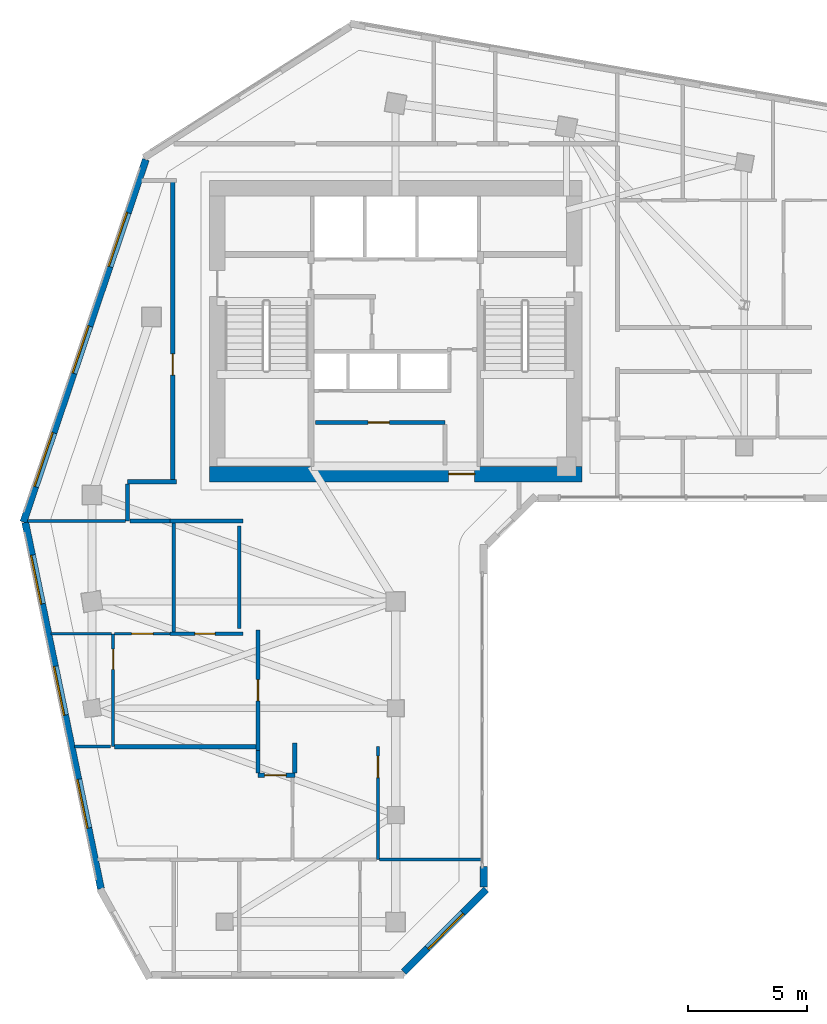
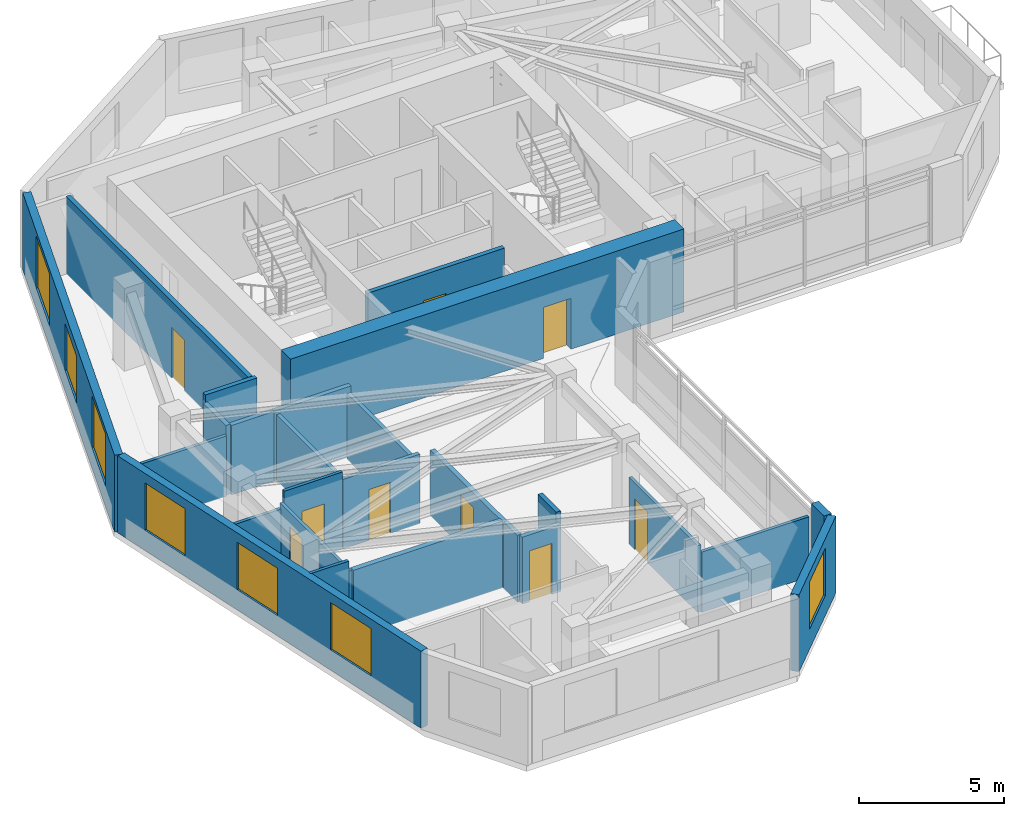
# One storey, part 4 of 10: 26 walls, 9 doors, 7 windows, 16 openings.
"""IFC4 building model written with IfcOpenShell, lengths in metres."""

from ifc_helpers import new_model, si_unit, direction, frame, frame_2d, origin, place, context, subcontext, project, spatial, rectangle, extrude, source, transform, mapped, material, layer, layer_set, type_object, element, fill, save


model = new_model("IFC4")

# Units and contexts
model_context = context("Model", 3, precision=1e-05, world=origin(), true_north=direction((0.0, 1.0)))
body_context = subcontext(model_context, "Body", "Model", "MODEL_VIEW")
ifc_project = project(units=[si_unit("LENGTHUNIT", "METRE"), si_unit("AREAUNIT", "SQUARE_METRE"), si_unit("VOLUMEUNIT", "CUBIC_METRE"), si_unit("PLANEANGLEUNIT", "RADIAN"), si_unit("MASSUNIT", "GRAM", prefix="KILO")], contexts=[model_context])

# Site, building, storey
site_placement = place(None, origin())
site = spatial("IfcSite", under=ifc_project, at=site_placement, CompositionType="ELEMENT")
building_placement = place(site_placement, origin())
building = spatial("IfcBuilding", under=site, at=building_placement, Name="Calvemar Wedge Station Tower", CompositionType="ELEMENT")
storey_placement = place(building_placement, frame((0.0, 0.0, 221.89990234375)))
storey = spatial("IfcBuildingStorey", under=building, at=storey_placement, Name="L56", CompositionType="ELEMENT", Elevation=221.89990234375)

# Wall, opening, door
ifc_material_1 = material(Name="Concrete C60", Category="concrete")
ifc_layer_1 = layer(ifc_material_1, 0.64990234375)
ifc_layer_set_1 = layer_set([ifc_layer_1], Name="Concrete C60")
wall_type_1 = type_object("IfcWallType", Name="SW-CORE-650", PredefinedType="SHEAR", material=ifc_layer_set_1)
wall_1_placement = place(storey_placement, frame((15.949951171875, 33.875, 0.0), z_axis=(0.0, 0.0, 1.0), x_axis=(1.0, 0.0, 0.0)))
wall_1 = element("IfcWall", 1, at=wall_1_placement, inside=storey, type_object=wall_type_1, Name="Storey L56 Core Shear Wall S", PredefinedType="SHEAR", context=body_context, shape_type="SweptSolid", body=[
    extrude(rectangle(XDim=15.699951171875, YDim=0.64990234375, at=frame_2d((7.85009765625, 0.0))), origin(), (0.0, 0.0, 1.0), 3.5),
])
shared_shape_1 = source(origin(), body_context, "Body", "SweptSolid", [
    extrude(rectangle(XDim=1.10009765625, YDim=2.14990234375, at=frame_2d((0.550048828125, 1.074951171875))), frame((0.0, 0.3349609375, 0.0), z_axis=(0.0, -1.0, 0.0), x_axis=(1.0, 0.0, 0.0)), (0.0, 0.0, 1.0), 0.669921875),
])
opening_1_placement = place(wall_1_placement, frame((10.080078125, 0.0, 0.0)))
opening_1 = element("IfcOpeningElement", 2, at=opening_1_placement, cuts=wall_1, Name="Opening FD-90", PredefinedType="OPENING", context=body_context, shape_type="MappedRepresentation", body=[
    mapped(shared_shape_1, transform((0.0, 0.0, 0.0), scale=1.0)),
])
ifc_material_2 = material(Name="Galvanized fire-rated steel door leaf P-90", Category="steel")
door_type_1 = type_object("IfcDoorType", Name="DR-FD90-1100", OperationType="NOTDEFINED", PredefinedType="DOOR", material=ifc_material_2)
shared_shape_2 = source(origin(), body_context, "Body", "SweptSolid", [
    extrude(rectangle(XDim=1.10009765625, YDim=2.14990234375, at=frame_2d((0.550048828125, 1.074951171875))), frame((0.0, 0.02490234375, 0.0), z_axis=(0.0, -1.0, 0.0), x_axis=(1.0, 0.0, 0.0)), (0.0, 0.0, 1.0), 0.050048828125),
])
door_1_placement = place(opening_1_placement, origin())
door_1 = element("IfcDoor", 3, at=door_1_placement, inside=storey, type_object=door_type_1, Name="L56 Passenger Lift Lobby Door", OperationType="SINGLE_SWING_LEFT", OverallHeight=2.14990234375, OverallWidth=1.10009765625, PredefinedType="DOOR", context=body_context, shape_type="MappedRepresentation", body=[
    mapped(shared_shape_2, transform((0.0, 0.0, 0.0), scale=1.0)),
])
fill(opening_1, door_1)

ifc_material_3 = material(Name="Double-stud fire-rated corridor partition")
ifc_layer_2 = layer(ifc_material_3, 0.179931640625)
ifc_layer_set_2 = layer_set([ifc_layer_2], Name="Double-stud fire-rated corridor partition")
wall_type_2 = type_object("IfcWallType", Name="W-CORR-180", PredefinedType="PARTITIONING", material=ifc_layer_set_2)
wall_2_placement = place(storey_placement, frame((20.419921875, 36.050048828125, 0.0), z_axis=(0.0, 0.0, 1.0), x_axis=(1.0, 0.0, 0.0)))
wall_2 = element("IfcWall", 4, at=wall_2_placement, inside=storey, type_object=wall_type_2, Name="Storey L56 Interior Partition WL-L56-004", PredefinedType="PARTITIONING", context=body_context, shape_type="SweptSolid", body=[
    extrude(rectangle(XDim=5.4599609375, YDim=0.179931640625, at=frame_2d((2.72998046875, 0.0))), origin(), (0.0, 0.0, 1.0), 3.25),
])
shared_shape_3 = source(origin(), body_context, "Body", "SweptSolid", [
    extrude(rectangle(XDim=0.89990234375, YDim=2.14990234375, at=frame_2d((0.449951171875, 1.074951171875))), frame((0.0, 0.10009765625, 0.0), z_axis=(0.0, -1.0, 0.0), x_axis=(1.0, 0.0, 0.0)), (0.0, 0.0, 1.0), 0.199951171875),
])
opening_2_placement = place(wall_2_placement, frame((2.219482421875, 0.0, 0.0)))
opening_2 = element("IfcOpeningElement", 5, at=opening_2_placement, cuts=wall_2, Name="Opening FD-60", PredefinedType="OPENING", context=body_context, shape_type="MappedRepresentation", body=[
    mapped(shared_shape_3, transform((0.0, 0.0, 0.0), scale=1.0)),
])
ifc_material_4 = material(Name="Fire-rated acoustic timber-core entrance door EI 60", Category="wood")
door_type_2 = type_object("IfcDoorType", Name="DR-FD60-900", OperationType="NOTDEFINED", PredefinedType="DOOR", material=ifc_material_4)
shared_shape_4 = source(origin(), body_context, "Body", "SweptSolid", [
    extrude(rectangle(XDim=0.89990234375, YDim=2.14990234375, at=frame_2d((0.449951171875, 1.074951171875))), frame((0.0, 0.02490234375, 0.0), z_axis=(0.0, -1.0, 0.0), x_axis=(1.0, 0.0, 0.0)), (0.0, 0.0, 1.0), 0.050048828125),
])
door_2_placement = place(opening_2_placement, origin())
door_2 = element("IfcDoor", 6, at=door_2_placement, inside=storey, type_object=door_type_2, Name="L56 Parcel and Resident Store Door", OperationType="SINGLE_SWING_RIGHT", OverallHeight=2.14990234375, OverallWidth=0.89990234375, PredefinedType="DOOR", context=body_context, shape_type="MappedRepresentation", body=[
    mapped(shared_shape_4, transform((0.0, 0.0, 0.0), scale=1.0)),
])
fill(opening_2, door_2)

# Walls
wall_3_placement = place(storey_placement, frame((12.5, 33.550048828125, 0.0), z_axis=(0.0, 0.0, 1.0), x_axis=(1.0, 0.0, 0.0)))
element("IfcWall", 7, at=wall_3_placement, inside=storey, type_object=wall_type_2, Name="Storey L56 Interior Partition WL-L56-006", PredefinedType="PARTITIONING", context=body_context, shape_type="SweptSolid", body=[
    extrude(rectangle(XDim=2.06005859375, YDim=0.179931640625, at=frame_2d((1.030029296875, 0.0))), origin(), (0.0, 0.0, 1.0), 3.25),
])
wall_4_placement = place(storey_placement, frame((12.5, 31.89990234375, 0.0), z_axis=(0.0, 0.0, 1.0), x_axis=(0.0, 1.0, 0.0)))
element("IfcWall", 8, at=wall_4_placement, inside=storey, type_object=wall_type_2, Name="Storey L56 Interior Partition WL-L56-007", PredefinedType="PARTITIONING", context=body_context, shape_type="SweptSolid", body=[
    extrude(rectangle(XDim=1.55615234375, YDim=0.179931640625, at=frame_2d((0.778076171875, 0.0))), origin(), (0.0, 0.0, 1.0), 2.93408203125),
])
wall_5_placement = place(storey_placement, frame((17.360107421875, 31.89990234375, 0.0), z_axis=(0.0, 0.0, 1.0), x_axis=(-1.0, 0.0, 0.0)))
element("IfcWall", 9, at=wall_5_placement, inside=storey, type_object=wall_type_2, Name="Storey L56 Interior Partition WL-L56-009", PredefinedType="PARTITIONING", context=body_context, shape_type="SweptSolid", body=[
    extrude(rectangle(XDim=3.070068359375, YDim=0.179931640625, at=frame_2d((1.53515625, 0.0))), origin(), (0.0, 0.0, 1.0), 2.93408203125),
])
wall_6_placement = place(storey_placement, frame((14.2880859375, 31.89990234375, 0.0), z_axis=(0.0, 0.0, 1.0), x_axis=(-1.0, 0.0, 0.0)))
element("IfcWall", 10, at=wall_6_placement, inside=storey, type_object=wall_type_2, Name="Storey L56 Interior Partition WL-L56-010", PredefinedType="PARTITIONING", context=body_context, shape_type="SweptSolid", body=[
    extrude(rectangle(XDim=1.694091796875, YDim=0.179931640625, at=frame_2d((0.84716796875, 0.0))), origin(), (0.0, 0.0, 1.0), 2.93408203125),
])

# Wall, opening, door
wall_7_placement = place(storey_placement, frame((14.39990234375, 33.64404296875, 0.0), z_axis=(0.0, 0.0, 1.0), x_axis=(0.0, 1.0, 0.0)))
wall_7 = element("IfcWall", 11, at=wall_7_placement, inside=storey, type_object=wall_type_2, Name="Storey L56 Interior Partition WL-L56-011", PredefinedType="PARTITIONING", context=body_context, shape_type="SweptSolid", body=[
    extrude(rectangle(XDim=12.60595703125, YDim=0.179931640625, at=frame_2d((6.302978515625, 0.0))), origin(), (0.0, 0.0, 1.0), 3.25),
])
opening_3_placement = place(wall_7_placement, frame((4.399169921875, 0.0, 0.0)))
opening_3 = element("IfcOpeningElement", 12, at=opening_3_placement, cuts=wall_7, Name="Opening D-01", PredefinedType="OPENING", context=body_context, shape_type="MappedRepresentation", body=[
    mapped(shared_shape_3, transform((0.0, 0.0, 0.0), scale=1.0)),
])
ifc_material_5 = material(Name="Architectural hardwood acoustic swing door", Category="wood")
door_type_3 = type_object("IfcDoorType", Name="DR-INT-900", OperationType="NOTDEFINED", PredefinedType="DOOR", material=ifc_material_5)
shared_shape_5 = source(origin(), body_context, "Body", "SweptSolid", [
    extrude(rectangle(XDim=0.89990234375, YDim=2.14990234375, at=frame_2d((0.449951171875, 1.074951171875))), frame((0.0, 0.02490234375, 0.0), z_axis=(0.0, -1.0, 0.0), x_axis=(1.0, 0.0, 0.0)), (0.0, 0.0, 1.0), 0.050048828125),
])
door_3_placement = place(opening_3_placement, origin())
door_3 = element("IfcDoor", 13, at=door_3_placement, inside=storey, type_object=door_type_3, Name="L56 Resident Reading Lounge Door", OperationType="SINGLE_SWING_LEFT", OverallHeight=2.14990234375, OverallWidth=0.89990234375, PredefinedType="DOOR", context=body_context, shape_type="MappedRepresentation", body=[
    mapped(shared_shape_5, transform((0.0, 0.0, 0.0), scale=1.0)),
])
fill(opening_3, door_3)

wall_8_placement = place(storey_placement, frame((18.0, 22.222900390625, 0.0), z_axis=(0.0, 0.0, 1.0), x_axis=(0.0, 1.0, 0.0)))
wall_8 = element("IfcWall", 14, at=wall_8_placement, inside=storey, type_object=wall_type_2, Name="Storey L56 Interior Partition WL-L56-042", PredefinedType="PARTITIONING", context=body_context, shape_type="SweptSolid", body=[
    extrude(rectangle(XDim=5.0791015625, YDim=0.179931640625, at=frame_2d((2.53955078125, 0.0))), origin(), (0.0, 0.0, 1.0), 2.76611328125),
])
opening_4_placement = place(wall_8_placement, frame((2.089599609375, 0.0, 0.0)))
opening_4 = element("IfcOpeningElement", 15, at=opening_4_placement, cuts=wall_8, Name="Opening FD-60", PredefinedType="OPENING", context=body_context, shape_type="MappedRepresentation", body=[
    mapped(shared_shape_3, transform((0.0, 0.0, 0.0), scale=1.0)),
])
door_4_placement = place(opening_4_placement, origin())
door_4 = element("IfcDoor", 16, at=door_4_placement, inside=storey, type_object=door_type_2, Name="L56 Living Dining Door", OperationType="SINGLE_SWING_LEFT", OverallHeight=2.14990234375, OverallWidth=0.89990234375, PredefinedType="DOOR", context=body_context, shape_type="MappedRepresentation", body=[
    mapped(shared_shape_4, transform((0.0, 0.0, 0.0), scale=1.0)),
])
fill(opening_4, door_4)

wall_9_placement = place(storey_placement, frame((19.550048828125, 21.18310546875, 0.0), z_axis=(0.0, 0.0, 1.0), x_axis=(-1.0, 0.0, 0.0)))
wall_9 = element("IfcWall", 17, at=wall_9_placement, inside=storey, type_object=wall_type_2, Name="Storey L56 Interior Partition WL-L56-043", PredefinedType="PARTITIONING", context=body_context, shape_type="SweptSolid", body=[
    extrude(rectangle(XDim=1.550048828125, YDim=0.179931640625, at=frame_2d((0.77490234375, 0.0))), origin(), (0.0, 0.0, 1.0), 2.822021484375),
])
opening_5_placement = place(wall_9_placement, frame((0.3701171875, 0.0, 0.0)))
opening_5 = element("IfcOpeningElement", 18, at=opening_5_placement, cuts=wall_9, Name="Opening FD-60", PredefinedType="OPENING", context=body_context, shape_type="MappedRepresentation", body=[
    mapped(shared_shape_3, transform((0.0, 0.0, 0.0), scale=1.0)),
])
door_5_placement = place(opening_5_placement, origin())
door_5 = element("IfcDoor", 19, at=door_5_placement, inside=storey, type_object=door_type_2, Name="L56 Living Dining Door", OperationType="SINGLE_SWING_RIGHT", OverallHeight=2.14990234375, OverallWidth=0.89990234375, PredefinedType="DOOR", context=body_context, shape_type="MappedRepresentation", body=[
    mapped(shared_shape_4, transform((0.0, 0.0, 0.0), scale=1.0)),
])
fill(opening_5, door_5)

# Walls
wall_10_placement = place(storey_placement, frame((18.0, 21.277099609375, 0.0), z_axis=(0.0, 0.0, 1.0), x_axis=(0.0, 1.0, 0.0)))
element("IfcWall", 20, at=wall_10_placement, inside=storey, type_object=wall_type_2, Name="Storey L56 Interior Partition WL-L56-044", PredefinedType="PARTITIONING", context=body_context, shape_type="SweptSolid", body=[
    extrude(rectangle(XDim=0.94384765625, YDim=0.179931640625, at=frame_2d((0.471923828125, 0.0))), origin(), (0.0, 0.0, 1.0), 2.822021484375),
])
wall_11_placement = place(storey_placement, frame((19.550048828125, 22.54296875, 0.0), z_axis=(0.0, 0.0, 1.0), x_axis=(0.0, -1.0, 0.0)))
element("IfcWall", 21, at=wall_11_placement, inside=storey, type_object=wall_type_2, Name="Storey L56 Interior Partition WL-L56-045", PredefinedType="PARTITIONING", context=body_context, shape_type="SweptSolid", body=[
    extrude(rectangle(XDim=1.265869140625, YDim=0.179931640625, at=frame_2d((0.6328125, 0.0))), origin(), (0.0, 0.0, 1.0), 3.25),
])
ifc_material_6 = material(Name="Twin-stud fire-rated inter-tenancy wall")
ifc_layer_3 = layer(ifc_material_6, 0.199951171875)
ifc_layer_set_3 = layer_set([ifc_layer_3], Name="Twin-stud fire-rated inter-tenancy wall")
wall_type_3 = type_object("IfcWallType", Name="W-DEMISE-200", PredefinedType="PARTITIONING", material=ifc_layer_set_3)
wall_12_placement = place(storey_placement, frame((17.906005859375, 22.383056640625, 0.0), z_axis=(0.0, 0.0, 1.0), x_axis=(-1.0, 0.0, 0.0)))
element("IfcWall", 22, at=wall_12_placement, inside=storey, type_object=wall_type_3, Name="Storey L56 Interior Partition WL-L56-049", PredefinedType="PARTITIONING", context=body_context, shape_type="SweptSolid", body=[
    extrude(rectangle(XDim=5.948486328125, YDim=0.199951171875, at=frame_2d((2.97412109375, 0.0))), origin(), (0.0, 0.0, 1.0), 2.822021484375),
])

# Wall, opening, window
ifc_material_7 = material(Name="Precast concrete C45", Category="concrete")
ifc_layer_4 = layer(ifc_material_7, 0.300048828125)
ifc_layer_set_4 = layer_set([ifc_layer_4], Name="Precast concrete C45")
wall_type_4 = type_object("IfcWallType", Name="W-EXT-GFRC-300", PredefinedType="SOLIDWALL", material=ifc_layer_set_4)
wall_13_placement = place(storey_placement, frame((24.139892578125, 12.887939453125, 0.0), z_axis=(0.0, 0.0, 1.0), x_axis=(0.707106781187, 0.707106781187, 0.0)))
wall_13 = element("IfcWall", 23, at=wall_13_placement, inside=storey, type_object=wall_type_4, Name="Storey L56 Bronze GFRC Exterior Wall 3", PredefinedType="SOLIDWALL", context=body_context, shape_type="SweptSolid", body=[
    extrude(rectangle(XDim=4.921875, YDim=0.300048828125, at=frame_2d((2.4609375, 0.0))), origin(), (0.0, 0.0, 1.0), 3.25),
])
shared_shape_6 = source(origin(), body_context, "Body", "SweptSolid", [
    extrude(rectangle(XDim=2.10009765625, YDim=2.0, at=frame_2d((1.050048828125, 1.0))), frame((0.0, 0.16015625, 0.0), z_axis=(0.0, -1.0, 0.0), x_axis=(1.0, 0.0, 0.0)), (0.0, 0.0, 1.0), 0.320068359375),
])
opening_6_placement = place(wall_13_placement, frame((1.410888671875, 0.0, 0.85009765625)))
opening_6 = element("IfcOpeningElement", 24, at=opening_6_placement, cuts=wall_13, Name="Opening W4", PredefinedType="OPENING", context=body_context, shape_type="MappedRepresentation", body=[
    mapped(shared_shape_6, transform((0.0, 0.0, 0.0), scale=1.0)),
])
ifc_material_8 = material(Name="Low-E laminated insulated glass", Category="glass")
window_type_1 = type_object("IfcWindowType", Name="WIN-EXT-4", PartitioningType="SINGLE_PANEL", PredefinedType="WINDOW", material=ifc_material_8)
shared_shape_7 = source(origin(), body_context, "Body", "SweptSolid", [
    extrude(rectangle(XDim=2.10009765625, YDim=2.0, at=frame_2d((1.050048828125, 1.0))), frame((0.0, -0.014892578125, 0.0), z_axis=(0.0, -1.0, 0.0), x_axis=(1.0, 0.0, 0.0)), (0.0, 0.0, 1.0), 0.06005859375),
])
window_1_placement = place(opening_6_placement, origin())
window_1 = element("IfcWindow", 25, at=window_1_placement, inside=storey, type_object=window_type_1, Name="Storey L56 Recessed Window 3.1", OverallHeight=2.0, OverallWidth=2.10009765625, PartitioningType="SINGLE_PANEL", PredefinedType="WINDOW", context=body_context, shape_type="MappedRepresentation", body=[
    mapped(shared_shape_7, transform((0.0, 0.0, 0.0), scale=1.0)),
])
fill(opening_6, window_1)

# Wall
wall_14_placement = place(storey_placement, frame((27.513916015625, 16.457275390625, 0.0), z_axis=(0.0, 0.0, 1.0), x_axis=(0.0, 1.0, 0.0)))
element("IfcWall", 26, at=wall_14_placement, inside=storey, type_object=wall_type_4, Name="Storey L56 Bronze GFRC Corner Pier 4A", PredefinedType="SOLIDWALL", context=body_context, shape_type="SweptSolid", body=[
    extrude(rectangle(XDim=0.88232421875, YDim=0.300048828125, at=frame_2d((0.441162109375, 0.0))), origin(), (0.0, 0.0, 1.0), 3.25),
])

# Wall, openings, windows
wall_15_placement = place(storey_placement, frame((13.2685546875, 47.1337890625, 0.0), z_axis=(0.0, 0.0, 1.0), x_axis=(-0.319920776449, -0.947444297464, 0.0)))
wall_15 = element("IfcWall", 27, at=wall_15_placement, inside=storey, type_object=wall_type_4, Name="Storey L56 Bronze GFRC Exterior Wall 12", PredefinedType="SOLIDWALL", context=body_context, shape_type="SweptSolid", body=[
    extrude(rectangle(XDim=16.13330078125, YDim=0.300048828125, at=frame_2d((8.066650390625, 0.0))), origin(), (0.0, 0.0, 1.0), 3.25),
])
shared_shape_8 = source(origin(), body_context, "Body", "SweptSolid", [
    extrude(rectangle(XDim=2.39990234375, YDim=2.199951171875, at=frame_2d((1.199951171875, 1.10009765625))), frame((0.0, 0.16015625, 0.0), z_axis=(0.0, -1.0, 0.0), x_axis=(1.0, 0.0, 0.0)), (0.0, 0.0, 1.0), 0.320068359375),
])
opening_7_placement = place(wall_15_placement, frame((2.363037109375, 0.0, 0.85009765625)))
opening_7 = element("IfcOpeningElement", 28, at=opening_7_placement, cuts=wall_15, Name="Opening W1", PredefinedType="OPENING", context=body_context, shape_type="MappedRepresentation", body=[
    mapped(shared_shape_8, transform((0.0, 0.0, 0.0), scale=1.0)),
])
opening_8_placement = place(wall_15_placement, frame((7.409912109375, 0.0, 0.85009765625)))
opening_8 = element("IfcOpeningElement", 29, at=opening_8_placement, cuts=wall_15, Name="Opening W4", PredefinedType="OPENING", context=body_context, shape_type="MappedRepresentation", body=[
    mapped(shared_shape_6, transform((0.0, 0.0, 0.0), scale=1.0)),
])
opening_9_placement = place(wall_15_placement, frame((12.156982421875, 0.0, 0.85009765625)))
opening_9 = element("IfcOpeningElement", 30, at=opening_9_placement, cuts=wall_15, Name="Opening W1", PredefinedType="OPENING", context=body_context, shape_type="MappedRepresentation", body=[
    mapped(shared_shape_8, transform((0.0, 0.0, 0.0), scale=1.0)),
])
window_2_placement = place(opening_8_placement, origin())
window_2 = element("IfcWindow", 31, at=window_2_placement, inside=storey, type_object=window_type_1, Name="Storey L56 Recessed Window 12.2", OverallHeight=2.0, OverallWidth=2.10009765625, PartitioningType="SINGLE_PANEL", PredefinedType="WINDOW", context=body_context, shape_type="MappedRepresentation", body=[
    mapped(shared_shape_7, transform((0.0, 0.0, 0.0), scale=1.0)),
])
fill(opening_8, window_2)
window_type_2 = type_object("IfcWindowType", Name="WIN-EXT-1", PartitioningType="SINGLE_PANEL", PredefinedType="WINDOW", material=ifc_material_8)
shared_shape_9 = source(origin(), body_context, "Body", "SweptSolid", [
    extrude(rectangle(XDim=2.39990234375, YDim=2.199951171875, at=frame_2d((1.199951171875, 1.10009765625))), frame((0.0, -0.014892578125, 0.0), z_axis=(0.0, -1.0, 0.0), x_axis=(1.0, 0.0, 0.0)), (0.0, 0.0, 1.0), 0.06005859375),
])
window_3_placement = place(opening_7_placement, origin())
window_3 = element("IfcWindow", 32, at=window_3_placement, inside=storey, type_object=window_type_2, Name="Storey L56 Recessed Window 12.1", OverallHeight=2.199951171875, OverallWidth=2.39990234375, PartitioningType="SINGLE_PANEL", PredefinedType="WINDOW", context=body_context, shape_type="MappedRepresentation", body=[
    mapped(shared_shape_9, transform((0.0, 0.0, 0.0), scale=1.0)),
])
fill(opening_7, window_3)
window_4_placement = place(opening_9_placement, origin())
window_4 = element("IfcWindow", 33, at=window_4_placement, inside=storey, type_object=window_type_2, Name="Storey L56 Recessed Window 12.3", OverallHeight=2.199951171875, OverallWidth=2.39990234375, PartitioningType="SINGLE_PANEL", PredefinedType="WINDOW", context=body_context, shape_type="MappedRepresentation", body=[
    mapped(shared_shape_9, transform((0.0, 0.0, 0.0), scale=1.0)),
])
fill(opening_9, window_4)

wall_16_placement = place(storey_placement, frame((8.1875, 31.833984375, 0.0), z_axis=(0.0, 0.0, 1.0), x_axis=(0.202303475707, -0.979322880217, 0.0)))
wall_16 = element("IfcWall", 34, at=wall_16_placement, inside=storey, type_object=wall_type_4, Name="Storey L56 Bronze GFRC Exterior Wall 13", PredefinedType="SOLIDWALL", context=body_context, shape_type="SweptSolid", body=[
    extrude(rectangle(XDim=15.765625, YDim=0.300048828125, at=frame_2d((7.8828125, 0.0))), origin(), (0.0, 0.0, 1.0), 3.25),
])
opening_10_placement = place(wall_16_placement, frame((1.406982421875, 0.0, 0.85009765625)))
opening_10 = element("IfcOpeningElement", 35, at=opening_10_placement, cuts=wall_16, Name="Opening W4", PredefinedType="OPENING", context=body_context, shape_type="MappedRepresentation", body=[
    mapped(shared_shape_6, transform((0.0, 0.0, 0.0), scale=1.0)),
])
opening_11_placement = place(wall_16_placement, frame((6.194091796875, 0.0, 0.85009765625)))
opening_11 = element("IfcOpeningElement", 36, at=opening_11_placement, cuts=wall_16, Name="Opening W4", PredefinedType="OPENING", context=body_context, shape_type="MappedRepresentation", body=[
    mapped(shared_shape_6, transform((0.0, 0.0, 0.0), scale=1.0)),
])
opening_12_placement = place(wall_16_placement, frame((11.053955078125, 0.0, 0.85009765625)))
opening_12 = element("IfcOpeningElement", 37, at=opening_12_placement, cuts=wall_16, Name="Opening W4", PredefinedType="OPENING", context=body_context, shape_type="MappedRepresentation", body=[
    mapped(shared_shape_6, transform((0.0, 0.0, 0.0), scale=1.0)),
])
window_5_placement = place(opening_10_placement, origin())
window_5 = element("IfcWindow", 38, at=window_5_placement, inside=storey, type_object=window_type_1, Name="Storey L56 Recessed Window 13.1", OverallHeight=2.0, OverallWidth=2.10009765625, PartitioningType="SINGLE_PANEL", PredefinedType="WINDOW", context=body_context, shape_type="MappedRepresentation", body=[
    mapped(shared_shape_7, transform((0.0, 0.0, 0.0), scale=1.0)),
])
fill(opening_10, window_5)
window_6_placement = place(opening_11_placement, origin())
window_6 = element("IfcWindow", 39, at=window_6_placement, inside=storey, type_object=window_type_1, Name="Storey L56 Recessed Window 13.2", OverallHeight=2.0, OverallWidth=2.10009765625, PartitioningType="SINGLE_PANEL", PredefinedType="WINDOW", context=body_context, shape_type="MappedRepresentation", body=[
    mapped(shared_shape_7, transform((0.0, 0.0, 0.0), scale=1.0)),
])
fill(opening_11, window_6)
window_7_placement = place(opening_12_placement, origin())
window_7 = element("IfcWindow", 40, at=window_7_placement, inside=storey, type_object=window_type_1, Name="Storey L56 Recessed Window 13.3", OverallHeight=2.0, OverallWidth=2.10009765625, PartitioningType="SINGLE_PANEL", PredefinedType="WINDOW", context=body_context, shape_type="MappedRepresentation", body=[
    mapped(shared_shape_7, transform((0.0, 0.0, 0.0), scale=1.0)),
])
fill(opening_12, window_7)

# Wall
ifc_material_9 = material(Name="Insulated acoustic gypsum stud partition")
ifc_layer_5 = layer(ifc_material_9, 0.125)
ifc_layer_set_5 = layer_set([ifc_layer_5], Name="Insulated acoustic gypsum stud partition")
wall_type_5 = type_object("IfcWallType", Name="W-PART-125", PredefinedType="PARTITIONING", material=ifc_layer_set_5)
wall_17_placement = place(storey_placement, frame((12.406005859375, 31.89990234375, 0.0), z_axis=(0.0, 0.0, 1.0), x_axis=(-1.0, 0.0, 0.0)))
element("IfcWall", 41, at=wall_17_placement, inside=storey, type_object=wall_type_5, Name="Storey L56 Interior Partition WL-L56-021", PredefinedType="PARTITIONING", context=body_context, shape_type="SweptSolid", body=[
    extrude(rectangle(XDim=4.11474609375, YDim=0.125, at=frame_2d((2.057373046875, 0.0))), origin(), (0.0, 0.0, 1.0), 2.5419921875),
])

# Wall, opening, door
wall_18_placement = place(storey_placement, frame((11.89111328125, 22.383056640625, 0.0), z_axis=(0.0, 0.0, 1.0), x_axis=(0.0, 1.0, 0.0)))
wall_18 = element("IfcWall", 42, at=wall_18_placement, inside=storey, type_object=wall_type_5, Name="Storey L56 Interior Partition WL-L56-046", PredefinedType="PARTITIONING", context=body_context, shape_type="SweptSolid", body=[
    extrude(rectangle(XDim=4.759033203125, YDim=0.125, at=frame_2d((2.37939453125, 0.0))), origin(), (0.0, 0.0, 1.0), 2.76611328125),
])
shared_shape_10 = source(origin(), body_context, "Body", "SweptSolid", [
    extrude(rectangle(XDim=0.85009765625, YDim=2.14990234375, at=frame_2d((0.425048828125, 1.074951171875))), frame((0.0, 0.072509765625, 0.0), z_axis=(0.0, -1.0, 0.0), x_axis=(1.0, 0.0, 0.0)), (0.0, 0.0, 1.0), 0.14501953125),
])
opening_13_placement = place(wall_18_placement, frame((3.2568359375, 0.0, 0.0)))
opening_13 = element("IfcOpeningElement", 43, at=opening_13_placement, cuts=wall_18, Name="Opening D-02", PredefinedType="OPENING", context=body_context, shape_type="MappedRepresentation", body=[
    mapped(shared_shape_10, transform((0.0, 0.0, 0.0), scale=1.0)),
])
ifc_material_10 = material(Name="Moisture-sealed bathroom hardwood swing door", Category="wood")
door_type_4 = type_object("IfcDoorType", Name="DR-WET-850", OperationType="NOTDEFINED", PredefinedType="DOOR", material=ifc_material_10)
shared_shape_11 = source(origin(), body_context, "Body", "SweptSolid", [
    extrude(rectangle(XDim=0.85009765625, YDim=2.14990234375, at=frame_2d((0.425048828125, 1.074951171875))), frame((0.0, 0.02490234375, 0.0), z_axis=(0.0, -1.0, 0.0), x_axis=(1.0, 0.0, 0.0)), (0.0, 0.0, 1.0), 0.050048828125),
])
door_6_placement = place(opening_13_placement, origin())
door_6 = element("IfcDoor", 44, at=door_6_placement, inside=storey, type_object=door_type_4, Name="L56 Kitchen Door", OperationType="SINGLE_SWING_RIGHT", OverallHeight=2.14990234375, OverallWidth=0.85009765625, PredefinedType="DOOR", context=body_context, shape_type="MappedRepresentation", body=[
    mapped(shared_shape_11, transform((0.0, 0.0, 0.0), scale=1.0)),
])
fill(opening_13, door_6)

wall_19_placement = place(storey_placement, frame((11.95751953125, 27.14208984375, 0.0), z_axis=(0.0, 0.0, 1.0), x_axis=(1.0, 0.0, 0.0)))
wall_19 = element("IfcWall", 45, at=wall_19_placement, inside=storey, type_object=wall_type_5, Name="Storey L56 Interior Partition WL-L56-048", PredefinedType="PARTITIONING", context=body_context, shape_type="SweptSolid", body=[
    extrude(rectangle(XDim=2.33056640625, YDim=0.125, at=frame_2d((1.165283203125, 0.0))), origin(), (0.0, 0.0, 1.0), 3.25),
])
shared_shape_12 = source(origin(), body_context, "Body", "SweptSolid", [
    extrude(rectangle(XDim=0.89990234375, YDim=2.14990234375, at=frame_2d((0.449951171875, 1.074951171875))), frame((0.0, 0.072509765625, 0.0), z_axis=(0.0, -1.0, 0.0), x_axis=(1.0, 0.0, 0.0)), (0.0, 0.0, 1.0), 0.14501953125),
])
opening_14_placement = place(wall_19_placement, frame((0.71533203125, 0.0, 0.0)))
opening_14 = element("IfcOpeningElement", 46, at=opening_14_placement, cuts=wall_19, Name="Opening D-01", PredefinedType="OPENING", context=body_context, shape_type="MappedRepresentation", body=[
    mapped(shared_shape_12, transform((0.0, 0.0, 0.0), scale=1.0)),
])
door_7_placement = place(opening_14_placement, origin())
door_7 = element("IfcDoor", 47, at=door_7_placement, inside=storey, type_object=door_type_3, Name="L56 Bedroom Door", OperationType="SINGLE_SWING_RIGHT", OverallHeight=2.14990234375, OverallWidth=0.89990234375, PredefinedType="DOOR", context=body_context, shape_type="MappedRepresentation", body=[
    mapped(shared_shape_5, transform((0.0, 0.0, 0.0), scale=1.0)),
])
fill(opening_14, door_7)

# Walls
wall_20_placement = place(storey_placement, frame((9.274169921875, 27.14208984375, 0.0), z_axis=(0.0, 0.0, 1.0), x_axis=(1.0, 0.0, 0.0)))
element("IfcWall", 48, at=wall_20_placement, inside=storey, type_object=wall_type_5, Name="Storey L56 Interior Partition WL-L56-050", PredefinedType="PARTITIONING", context=body_context, shape_type="SweptSolid", body=[
    extrude(rectangle(XDim=2.55029296875, YDim=0.125, at=frame_2d((1.275146484375, 0.0))), origin(), (0.0, 0.0, 1.0), 2.5419921875),
])
wall_21_placement = place(storey_placement, frame((11.787109375, 22.383056640625, 0.0), z_axis=(0.0, 0.0, 1.0), x_axis=(-1.0, 0.0, 0.0)))
element("IfcWall", 49, at=wall_21_placement, inside=storey, type_object=wall_type_5, Name="Storey L56 Interior Partition WL-L56-051", PredefinedType="PARTITIONING", context=body_context, shape_type="SweptSolid", body=[
    extrude(rectangle(XDim=1.52978515625, YDim=0.125, at=frame_2d((0.764892578125, 0.0))), origin(), (0.0, 0.0, 1.0), 3.25),
])

# Wall, opening, door
wall_22_placement = place(storey_placement, frame((23.056884765625, 17.6240234375, 0.0), z_axis=(0.0, 0.0, 1.0), x_axis=(0.0, 1.0, 0.0)))
wall_22 = element("IfcWall", 50, at=wall_22_placement, inside=storey, type_object=wall_type_5, Name="Storey L56 Interior Partition WL-L56-053", PredefinedType="PARTITIONING", context=body_context, shape_type="SweptSolid", body=[
    extrude(rectangle(XDim=4.759033203125, YDim=0.125, at=frame_2d((2.37939453125, 0.0))), origin(), (0.0, 0.0, 1.0), 2.822021484375),
])
opening_15_placement = place(wall_22_placement, frame((3.456787109375, 0.0, 0.0)))
opening_15 = element("IfcOpeningElement", 51, at=opening_15_placement, cuts=wall_22, Name="Opening D-01", PredefinedType="OPENING", context=body_context, shape_type="MappedRepresentation", body=[
    mapped(shared_shape_12, transform((0.0, 0.0, 0.0), scale=1.0)),
])
door_8_placement = place(opening_15_placement, origin())
door_8 = element("IfcDoor", 52, at=door_8_placement, inside=storey, type_object=door_type_3, Name="L56 Study Door", OperationType="SINGLE_SWING_LEFT", OverallHeight=2.14990234375, OverallWidth=0.89990234375, PredefinedType="DOOR", context=body_context, shape_type="MappedRepresentation", body=[
    mapped(shared_shape_5, transform((0.0, 0.0, 0.0), scale=1.0)),
])
fill(opening_15, door_8)

# Wall
wall_23_placement = place(storey_placement, frame((27.39892578125, 17.6240234375, 0.0), z_axis=(0.0, 0.0, 1.0), x_axis=(-1.0, 0.0, 0.0)))
element("IfcWall", 53, at=wall_23_placement, inside=storey, type_object=wall_type_5, Name="Storey L56 Interior Partition WL-L56-054", PredefinedType="PARTITIONING", context=body_context, shape_type="SweptSolid", body=[
    extrude(rectangle(XDim=4.275390625, YDim=0.125, at=frame_2d((2.1376953125, 0.0))), origin(), (0.0, 0.0, 1.0), 2.5419921875),
])

# Wall, opening, door
ifc_material_11 = material(Name="Moisture-resistant acoustic bathroom partition")
ifc_layer_6 = layer(ifc_material_11, 0.14990234375)
ifc_layer_set_6 = layer_set([ifc_layer_6], Name="Moisture-resistant acoustic bathroom partition")
wall_type_6 = type_object("IfcWallType", Name="W-WET-150", PredefinedType="PARTITIONING", material=ifc_layer_set_6)
wall_24_placement = place(storey_placement, frame((14.2900390625, 27.14208984375, 0.0), z_axis=(0.0, 0.0, 1.0), x_axis=(1.0, 0.0, 0.0)))
wall_24 = element("IfcWall", 54, at=wall_24_placement, inside=storey, type_object=wall_type_6, Name="Storey L56 Interior Partition WL-L56-047", PredefinedType="PARTITIONING", context=body_context, shape_type="SweptSolid", body=[
    extrude(rectangle(XDim=3.070068359375, YDim=0.14990234375, at=frame_2d((1.53515625, 0.0))), origin(), (0.0, 0.0, 1.0), 2.93408203125),
])
shared_shape_13 = source(origin(), body_context, "Body", "SweptSolid", [
    extrude(rectangle(XDim=0.85009765625, YDim=2.14990234375, at=frame_2d((0.425048828125, 1.074951171875))), frame((0.0, 0.0849609375, 0.0), z_axis=(0.0, -1.0, 0.0), x_axis=(1.0, 0.0, 0.0)), (0.0, 0.0, 1.0), 0.169921875),
])
opening_16_placement = place(wall_24_placement, frame((1.046142578125, 0.0, 0.0)))
opening_16 = element("IfcOpeningElement", 55, at=opening_16_placement, cuts=wall_24, Name="Opening D-02", PredefinedType="OPENING", context=body_context, shape_type="MappedRepresentation", body=[
    mapped(shared_shape_13, transform((0.0, 0.0, 0.0), scale=1.0)),
])
door_9_placement = place(opening_16_placement, origin())
door_9 = element("IfcDoor", 56, at=door_9_placement, inside=storey, type_object=door_type_4, Name="L56 Bathroom Door", OperationType="SINGLE_SWING_LEFT", OverallHeight=2.14990234375, OverallWidth=0.85009765625, PredefinedType="DOOR", context=body_context, shape_type="MappedRepresentation", body=[
    mapped(shared_shape_11, transform((0.0, 0.0, 0.0), scale=1.0)),
])
fill(opening_16, door_9)

# Walls
wall_25_placement = place(storey_placement, frame((14.449951171875, 27.220947265625, 0.0), z_axis=(0.0, 0.0, 1.0), x_axis=(0.0, 1.0, 0.0)))
element("IfcWall", 57, at=wall_25_placement, inside=storey, type_object=wall_type_6, Name="Storey L56 Interior Partition WL-L56-052", PredefinedType="PARTITIONING", context=body_context, shape_type="SweptSolid", body=[
    extrude(rectangle(XDim=4.5849609375, YDim=0.14990234375, at=frame_2d((2.29248046875, 0.0))), origin(), (0.0, 0.0, 1.0), 2.76611328125),
])
wall_26_placement = place(storey_placement, frame((17.199951171875, 31.679931640625, 0.0), z_axis=(0.0, 0.0, 1.0), x_axis=(0.0, -1.0, 0.0)))
element("IfcWall", 58, at=wall_26_placement, inside=storey, type_object=wall_type_6, Name="Storey L56 Bathroom Enclosure Wall WL-L56-064", PredefinedType="PARTITIONING", context=body_context, shape_type="SweptSolid", body=[
    extrude(rectangle(XDim=4.31787109375, YDim=0.14990234375, at=frame_2d((2.158935546875, 0.0))), origin(), (0.0, 0.0, 1.0), 2.76611328125),
])

save(model, "model.ifc")
